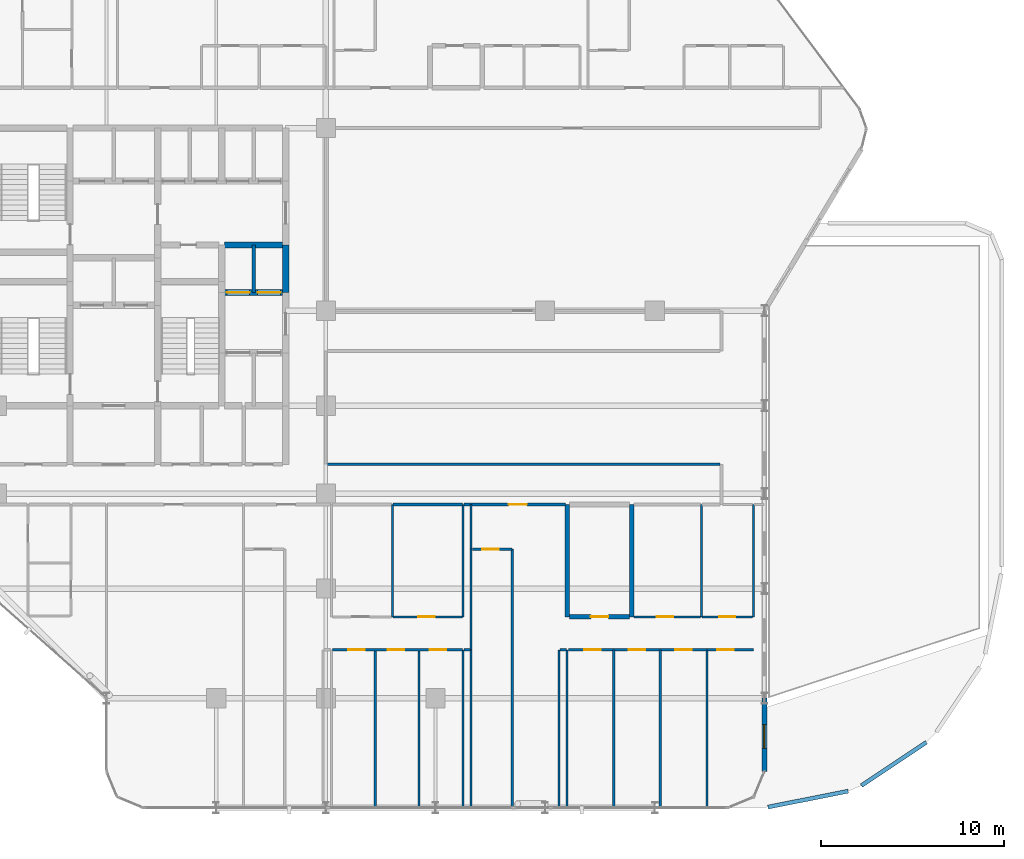
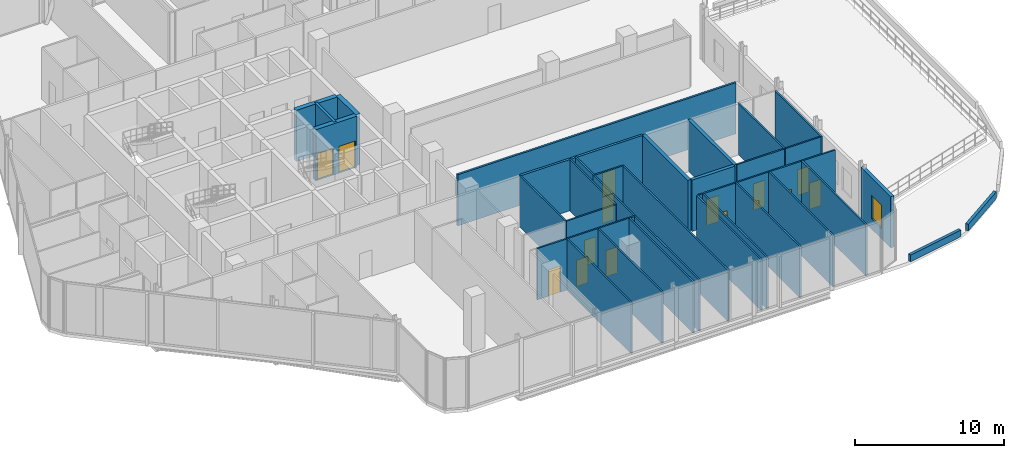
# One storey, part 24 of 30: 37 walls, 15 doors, 1 window, 16 openings.
"""IFC4 building model written with IfcOpenShell, lengths in metres."""

from ifc_helpers import new_model, si_unit, direction, frame, frame_2d, origin, place, context, subcontext, project, spatial, rectangle, extrude, material, layer, layer_set, type_object, element, fill, save


model = new_model("IFC4")

# Units and contexts
model_context = context("Model", 3, precision=1e-05, world=origin(), true_north=direction((0.0, 1.0)))
body_context = subcontext(model_context, "Body", "Model", "MODEL_VIEW")
ifc_project = project(units=[si_unit("LENGTHUNIT", "METRE"), si_unit("AREAUNIT", "SQUARE_METRE"), si_unit("VOLUMEUNIT", "CUBIC_METRE"), si_unit("PLANEANGLEUNIT", "RADIAN"), si_unit("MASSUNIT", "GRAM", prefix="KILO")], contexts=[model_context])

# Site, building, storey
site_placement = place(None, origin())
site = spatial("IfcSite", under=ifc_project, at=site_placement, CompositionType="ELEMENT")
building_placement = place(site_placement, origin())
building = spatial("IfcBuilding", under=site, at=building_placement, Name="Keshet Zoharim Tower", CompositionType="ELEMENT")
storey_placement = place(building_placement, frame((0.0, 0.0, 86.39990234375)))
storey = spatial("IfcBuildingStorey", under=building, at=storey_placement, Name="L20", CompositionType="ELEMENT", Elevation=86.39990234375)

# Walls
ifc_material_1 = material(Name="Gypsum Plasterboard", Category="gypsum")
ifc_layer_1 = layer(ifc_material_1, 0.14990234375)
ifc_layer_set_1 = layer_set([ifc_layer_1], Name="Gypsum Plasterboard")
wall_type_1 = type_object("IfcWallType", Name="WL-CLIN-150", PredefinedType="STANDARD", material=ifc_layer_set_1)
wall_1_placement = place(storey_placement, frame((33.070068359375, 19.5, 0.0), z_axis=(0.0, 0.0, 1.0), x_axis=(1.0, 0.0, 0.0)))
element("IfcWall", 1, at=wall_1_placement, inside=storey, type_object=wall_type_1, Name="L20 Interior Wall 148", PredefinedType="STANDARD", context=body_context, shape_type="SweptSolid", body=[
    extrude(rectangle(XDim=21.510009765625, YDim=0.14990234375, at=frame_2d((10.7548828125, 0.0))), origin(), (0.0, 0.0, 1.0), 4.18505859375),
])
ifc_material_2 = material(Name="Concrete C60/75", Category="concrete")
ifc_layer_2 = layer(ifc_material_2, 0.35009765625)
ifc_layer_set_2 = layer_set([ifc_layer_2], Name="Concrete C60/75")
wall_type_2 = type_object("IfcWallType", Name="WL-CORE-350", PredefinedType="SHEAR", material=ifc_layer_set_2)
wall_2_placement = place(storey_placement, frame((30.800048828125, 28.89990234375, 0.0), z_axis=(0.0, 0.0, 1.0), x_axis=(0.0, 1.0, 0.0)))
element("IfcWall", 2, at=wall_2_placement, inside=storey, type_object=wall_type_2, Name="L20 Core Shear Wall 063", PredefinedType="SHEAR", context=body_context, shape_type="SweptSolid", body=[
    extrude(rectangle(XDim=2.60009765625, YDim=0.35009765625, at=frame_2d((1.300048828125, 0.0))), origin(), (0.0, 0.0, 1.0), 4.18505859375),
])

# Wall, openings, doors
wall_3_placement = place(storey_placement, frame((27.4599609375, 28.89990234375, 0.0), z_axis=(0.0, 0.0, 1.0), x_axis=(1.0, 0.0, 0.0)))
wall_3 = element("IfcWall", 3, at=wall_3_placement, inside=storey, type_object=wall_type_2, Name="L20 Core Shear Wall 169", PredefinedType="SHEAR", context=body_context, shape_type="SweptSolid", body=[
    extrude(rectangle(XDim=3.179931640625, YDim=0.35009765625, at=frame_2d((1.58984375, 0.0))), origin(), (0.0, 0.0, 1.0), 4.18505859375),
])
opening_1_placement = place(wall_3_placement, frame((0.1201171875, 0.0, 0.0)))
opening_1 = element("IfcOpeningElement", 4, at=opening_1_placement, cuts=wall_3, Name="Opening LD-01", PredefinedType="OPENING", context=body_context, shape_type="SweptSolid", body=[
    extrude(rectangle(XDim=1.25, YDim=2.199951171875, at=frame_2d((0.625, 1.10009765625))), frame((0.0, 0.18505859375, 0.0), z_axis=(0.0, -1.0, 0.0), x_axis=(1.0, 0.0, 0.0)), (0.0, 0.0, 1.0), 0.3701171875),
])
opening_2_placement = place(wall_3_placement, frame((1.81005859375, 0.0, 0.0)))
opening_2 = element("IfcOpeningElement", 5, at=opening_2_placement, cuts=wall_3, Name="Opening LD-01", PredefinedType="OPENING", context=body_context, shape_type="SweptSolid", body=[
    extrude(rectangle(XDim=1.25, YDim=2.199951171875, at=frame_2d((0.625, 1.10009765625))), frame((0.0, 0.18505859375, 0.0), z_axis=(0.0, -1.0, 0.0), x_axis=(1.0, 0.0, 0.0)), (0.0, 0.0, 1.0), 0.3701171875),
])
ifc_material_3 = material(Name="Steel S355", Category="steel")
door_type_1 = type_object("IfcDoorType", Name="DR-LD01-125", OperationType="DOUBLE_DOOR_SLIDING", PredefinedType="DOOR", material=ifc_material_3)
door_1_placement = place(opening_1_placement, origin())
door_1 = element("IfcDoor", 6, at=door_1_placement, inside=storey, type_object=door_type_1, Name="L20 Passenger Lift Landing Door LF-05", OperationType="DOUBLE_DOOR_SLIDING", OverallHeight=2.199951171875, OverallWidth=1.25, PredefinedType="DOOR", context=body_context, shape_type="SweptSolid", body=[
    extrude(rectangle(XDim=1.25, YDim=2.199951171875, at=frame_2d((0.625, 1.10009765625))), frame((0.0, 0.02490234375, 0.0), z_axis=(0.0, -1.0, 0.0), x_axis=(1.0, 0.0, 0.0)), (0.0, 0.0, 1.0), 0.050048828125),
])
fill(opening_1, door_1)
door_2_placement = place(opening_2_placement, origin())
door_2 = element("IfcDoor", 7, at=door_2_placement, inside=storey, type_object=door_type_1, Name="L20 Passenger Lift Landing Door LF-06", OperationType="DOUBLE_DOOR_SLIDING", OverallHeight=2.199951171875, OverallWidth=1.25, PredefinedType="DOOR", context=body_context, shape_type="SweptSolid", body=[
    extrude(rectangle(XDim=1.25, YDim=2.199951171875, at=frame_2d((0.625, 1.10009765625))), frame((0.0, 0.02490234375, 0.0), z_axis=(0.0, -1.0, 0.0), x_axis=(1.0, 0.0, 0.0)), (0.0, 0.0, 1.0), 0.050048828125),
])
fill(opening_2, door_2)

# Walls
wall_4_placement = place(storey_placement, frame((27.4599609375, 31.5, 0.0), z_axis=(0.0, 0.0, 1.0), x_axis=(1.0, 0.0, 0.0)))
element("IfcWall", 8, at=wall_4_placement, inside=storey, type_object=wall_type_2, Name="L20 Core Shear Wall 177", PredefinedType="SHEAR", context=body_context, shape_type="SweptSolid", body=[
    extrude(rectangle(XDim=3.179931640625, YDim=0.35009765625, at=frame_2d((1.58984375, 0.0))), origin(), (0.0, 0.0, 1.0), 4.18505859375),
])
ifc_layer_3 = layer(ifc_material_1, 0.179931640625)
ifc_layer_set_3 = layer_set([ifc_layer_3], Name="Gypsum Plasterboard")
wall_type_3 = type_object("IfcWallType", Name="WL-CORR-180", PredefinedType="STANDARD", material=ifc_layer_set_3)
wall_5_placement = place(storey_placement, frame((36.672119140625, 17.300048828125, 0.0), z_axis=(0.0, 0.0, 1.0), x_axis=(1.0, 0.0, 0.0)))
element("IfcWall", 9, at=wall_5_placement, inside=storey, type_object=wall_type_3, Name="L20 Interior Wall 137", PredefinedType="STANDARD", context=body_context, shape_type="SweptSolid", body=[
    extrude(rectangle(XDim=3.802978515625, YDim=0.179931640625, at=frame_2d((1.9013671875, 0.0))), origin(), (0.0, 0.0, 1.0), 4.18505859375),
])

# Wall, opening, door
wall_6_placement = place(storey_placement, frame((40.56494140625, 17.300048828125, 0.0), z_axis=(0.0, 0.0, 1.0), x_axis=(1.0, 0.0, 0.0)))
wall_6 = element("IfcWall", 10, at=wall_6_placement, inside=storey, type_object=wall_type_3, Name="L20 Interior Wall 138", PredefinedType="STANDARD", context=body_context, shape_type="SweptSolid", body=[
    extrude(rectangle(XDim=5.545166015625, YDim=0.179931640625, at=frame_2d((2.7724609375, 0.0))), origin(), (0.0, 0.0, 1.0), 4.18505859375),
])
opening_3_placement = place(wall_6_placement, frame((2.43505859375, 0.0, 0.0)))
opening_3 = element("IfcOpeningElement", 11, at=opening_3_placement, cuts=wall_6, Name="Opening D-F310", PredefinedType="OPENING", context=body_context, shape_type="SweptSolid", body=[
    extrude(rectangle(XDim=1.0, YDim=2.14990234375, at=frame_2d((0.5, 1.074951171875))), frame((0.0, 0.10009765625, 0.0), z_axis=(0.0, -1.0, 0.0), x_axis=(1.0, 0.0, 0.0)), (0.0, 0.0, 1.0), 0.199951171875),
])
ifc_material_4 = material(Name="Hardwood Timber", Category="wood")
door_type_2 = type_object("IfcDoorType", Name="DR-FD30-100", OperationType="NOTDEFINED", PredefinedType="DOOR", material=ifc_material_4)
door_3_placement = place(opening_3_placement, origin())
door_3 = element("IfcDoor", 12, at=door_3_placement, inside=storey, type_object=door_type_2, Name="Apartment 2003 Entrance Door", OperationType="SINGLE_SWING_LEFT", OverallHeight=2.14990234375, OverallWidth=1.0, PredefinedType="DOOR", context=body_context, shape_type="SweptSolid", body=[
    extrude(rectangle(XDim=1.0, YDim=2.14990234375, at=frame_2d((0.5, 1.074951171875))), frame((0.0, 0.02490234375, 0.0), z_axis=(0.0, -1.0, 0.0), x_axis=(1.0, 0.0, 0.0)), (0.0, 0.0, 1.0), 0.050048828125),
])
fill(opening_3, door_3)

# Wall, opening, window
ifc_material_5 = material(Name="Concrete C50/60 precast", Category="concrete")
ifc_layer_4 = layer(ifc_material_5, 0.260009765625)
ifc_layer_set_4 = layer_set([ifc_layer_4], Name="Concrete C50/60 precast")
wall_type_4 = type_object("IfcWallType", Name="WL-EXT-260", PredefinedType="STANDARD", material=ifc_layer_set_4)
wall_7_placement = place(storey_placement, frame((57.0, 6.699951171875, 0.0), z_axis=(0.0, 0.0, 1.0), x_axis=(0.0, -1.0, 0.0)))
wall_7 = element("IfcWall", 13, at=wall_7_placement, inside=storey, type_object=wall_type_4, Name="L20 Exterior Facade Wall 02 Part 2", PredefinedType="STANDARD", context=body_context, shape_type="SweptSolid", body=[
    extrude(rectangle(XDim=4.0, YDim=0.260009765625, at=frame_2d((2.0, 0.0))), origin(), (0.0, 0.0, 1.0), 4.18505859375),
])
opening_4_placement = place(wall_7_placement, frame((1.448974609375, 0.0, 0.85009765625)))
opening_4 = element("IfcOpeningElement", 14, at=opening_4_placement, cuts=wall_7, Name="Opening W-130", PredefinedType="OPENING", context=body_context, shape_type="SweptSolid", body=[
    extrude(rectangle(XDim=1.300048828125, YDim=1.89990234375, at=frame_2d((0.64990234375, 0.949951171875))), frame((0.0, 0.14013671875, 0.0), z_axis=(0.0, -1.0, 0.0), x_axis=(1.0, 0.0, 0.0)), (0.0, 0.0, 1.0), 0.280029296875),
])
ifc_material_6 = material(Name="Insulated Low-E Clear Glass", Category="glass")
window_type = type_object("IfcWindowType", Name="WN-CRN-130", PartitioningType="SINGLE_PANEL", PredefinedType="WINDOW", material=ifc_material_6)
window_placement = place(opening_4_placement, origin())
window = element("IfcWindow", 15, at=window_placement, inside=storey, type_object=window_type, Name="L20 Wind-Corner Window 08", OverallHeight=1.89990234375, OverallWidth=1.300048828125, PartitioningType="SINGLE_PANEL", PredefinedType="WINDOW", context=body_context, shape_type="SweptSolid", body=[
    extrude(rectangle(XDim=1.300048828125, YDim=1.89990234375, at=frame_2d((0.64990234375, 0.949951171875))), frame((0.0, 0.030029296875, 0.0), z_axis=(0.0, -1.0, 0.0), x_axis=(1.0, 0.0, 0.0)), (0.0, 0.0, 1.0), 0.06005859375),
])
fill(opening_4, window)

# Walls
ifc_material_7 = material(Name="Concrete C50/60", Category="concrete")
ifc_layer_5 = layer(ifc_material_7, 0.199951171875)
ifc_layer_set_5 = layer_set([ifc_layer_5], Name="Concrete C50/60")
wall_type_5 = type_object("IfcWallType", Name="WL-FIRE-200", PredefinedType="STANDARD", material=ifc_layer_set_5)
wall_8_placement = place(storey_placement, frame((29.050048828125, 28.89990234375, 0.0), z_axis=(0.0, 0.0, 1.0), x_axis=(0.0, 1.0, 0.0)))
element("IfcWall", 16, at=wall_8_placement, inside=storey, type_object=wall_type_5, Name="L20 Interior Wall 055", PredefinedType="STANDARD", context=body_context, shape_type="SweptSolid", body=[
    extrude(rectangle(XDim=2.60009765625, YDim=0.199951171875, at=frame_2d((1.300048828125, 0.0))), origin(), (0.0, 0.0, 1.0), 4.18505859375),
])
ifc_layer_6 = layer(ifc_material_7, 0.25)
ifc_layer_set_6 = layer_set([ifc_layer_6], Name="Concrete C50/60")
wall_type_6 = type_object("IfcWallType", Name="WL-MAMAD-250", PredefinedType="STANDARD", material=ifc_layer_set_6)
for number, where, z_axis, x_axis, name in (
    (17, (46.199951171875, 11.14990234375, 0.0), (0.0, 0.0, 1.0), (0.0, 1.0, 0.0), "L20 Interior Wall 095"),
    (18, (49.75, 11.14990234375, 0.0), (0.0, 0.0, 1.0), (0.0, 1.0, 0.0), "L20 Interior Wall 103"),
):
    element("IfcWall", number, at=place(storey_placement, frame(where, z_axis=z_axis, x_axis=x_axis)), inside=storey, type_object=wall_type_6, Name=name, PredefinedType="STANDARD", context=body_context, shape_type="SweptSolid", body=[
        extrude(rectangle(XDim=6.150146484375, YDim=0.25, at=frame_2d((3.0751953125, 0.0))), origin(), (0.0, 0.0, 1.0), 4.18505859375),
    ])

# Wall, opening, door
wall_9_placement = place(storey_placement, frame((46.330078125, 11.14990234375, 0.0), z_axis=(0.0, 0.0, 1.0), x_axis=(1.0, 0.0, 0.0)))
wall_9 = element("IfcWall", 19, at=wall_9_placement, inside=storey, type_object=wall_type_6, Name="L20 Interior Wall 123", PredefinedType="STANDARD", context=body_context, shape_type="SweptSolid", body=[
    extrude(rectangle(XDim=3.298828125, YDim=0.25, at=frame_2d((1.6494140625, 0.0))), origin(), (0.0, 0.0, 1.0), 4.18505859375),
])
opening_5_placement = place(wall_9_placement, frame((1.175048828125, 0.0, 0.0)))
opening_5 = element("IfcOpeningElement", 20, at=opening_5_placement, cuts=wall_9, Name="Opening D-F695", PredefinedType="OPENING", context=body_context, shape_type="SweptSolid", body=[
    extrude(rectangle(XDim=0.949951171875, YDim=2.14990234375, at=frame_2d((0.47509765625, 1.074951171875))), frame((0.0, 0.135009765625, 0.0), z_axis=(0.0, -1.0, 0.0), x_axis=(1.0, 0.0, 0.0)), (0.0, 0.0, 1.0), 0.27001953125),
])
door_type_3 = type_object("IfcDoorType", Name="DR-FD60-095", OperationType="NOTDEFINED", PredefinedType="DOOR", material=ifc_material_4)
door_4_placement = place(opening_5_placement, origin())
door_4 = element("IfcDoor", 21, at=door_4_placement, inside=storey, type_object=door_type_3, Name="Apartment 2003 Study and Shelter Room Door", OperationType="SINGLE_SWING_LEFT", OverallHeight=2.14990234375, OverallWidth=0.949951171875, PredefinedType="DOOR", context=body_context, shape_type="SweptSolid", body=[
    extrude(rectangle(XDim=0.949951171875, YDim=2.14990234375, at=frame_2d((0.47509765625, 1.074951171875))), frame((0.0, 0.02490234375, 0.0), z_axis=(0.0, -1.0, 0.0), x_axis=(1.0, 0.0, 0.0)), (0.0, 0.0, 1.0), 0.050048828125),
])
fill(opening_5, door_4)

# Walls
ifc_layer_7 = layer(ifc_material_5, 0.219970703125)
ifc_layer_set_7 = layer_set([ifc_layer_7], Name="Concrete C50/60 precast")
wall_type_7 = type_object("IfcWallType", Name="WL-PAR-220", PredefinedType="PARAPET", material=ifc_layer_set_7)
wall_10_placement = place(storey_placement, frame((65.862060546875, 4.287109375, 0.0), z_axis=(0.0, 0.0, 1.0), x_axis=(-0.831461438998, -0.55558246504, 0.0)))
element("IfcWall", 22, at=wall_10_placement, inside=storey, type_object=wall_type_7, Name="L20 Setback Roof Parapet 06", PredefinedType="PARAPET", context=body_context, shape_type="SweptSolid", body=[
    extrude(rectangle(XDim=4.277099609375, YDim=0.219970703125, at=frame_2d((2.138671875, 0.0))), origin(), (0.0, 0.0, 1.0), 0.550048828125),
])
wall_11_placement = place(storey_placement, frame((61.5849609375, 1.612060546875, 0.0), z_axis=(0.0, 0.0, 1.0), x_axis=(-0.980766859102, -0.19518290931, 0.0)))
element("IfcWall", 23, at=wall_11_placement, inside=storey, type_object=wall_type_7, Name="L20 Setback Roof Parapet 07", PredefinedType="PARAPET", context=body_context, shape_type="SweptSolid", body=[
    extrude(rectangle(XDim=4.47802734375, YDim=0.219970703125, at=frame_2d((2.239013671875, 0.0))), origin(), (0.0, 0.0, 1.0), 0.550048828125),
])
ifc_layer_8 = layer(ifc_material_1, 0.1201171875)
ifc_layer_set_8 = layer_set([ifc_layer_8], Name="Gypsum Plasterboard")
wall_type_8 = type_object("IfcWallType", Name="WL-PART-120", PredefinedType="PARTITIONING", material=ifc_layer_set_8)
for number, where, z_axis, x_axis, name in (
    (24, (35.699951171875, 0.7099609375, 0.0), (0.0, 0.0, 1.0), (0.0, 1.0, 0.0), "L20 Interior Wall 076"),
    (25, (38.10009765625, 0.7099609375, 0.0), (0.0, 0.0, 1.0), (0.0, 1.0, 0.0), "L20 Interior Wall 079"),
    (26, (40.5, 0.7099609375, 0.0), (0.0, 0.0, 1.0), (0.0, 1.0, 0.0), "L20 Interior Wall 083"),
    (27, (40.949951171875, 0.7099609375, 0.0), (0.0, 0.0, 1.0), (0.0, 1.0, 0.0), "L20 Interior Wall 085"),
):
    element("IfcWall", number, at=place(storey_placement, frame(where, z_axis=z_axis, x_axis=x_axis)), inside=storey, type_object=wall_type_8, Name=name, PredefinedType="PARTITIONING", context=body_context, shape_type="SweptSolid", body=[
        extrude(rectangle(XDim=8.64013671875, YDim=0.1201171875, at=frame_2d((4.320068359375, 0.0))), origin(), (0.0, 0.0, 1.0), 4.18505859375),
    ])
wall_12_placement = place(storey_placement, frame((40.949951171875, 9.35009765625, 0.0), z_axis=(0.0, 0.0, 1.0), x_axis=(0.0, 1.0, 0.0)))
element("IfcWall", 28, at=wall_12_placement, inside=storey, type_object=wall_type_8, Name="L20 Interior Wall 086", PredefinedType="PARTITIONING", context=body_context, shape_type="SweptSolid", body=[
    extrude(rectangle(XDim=5.5, YDim=0.1201171875, at=frame_2d((2.75, 0.0))), origin(), (0.0, 0.0, 1.0), 4.18505859375),
])
wall_13_placement = place(storey_placement, frame((40.949951171875, 14.85009765625, 0.0), z_axis=(0.0, 0.0, 1.0), x_axis=(0.0, 1.0, 0.0)))
element("IfcWall", 29, at=wall_13_placement, inside=storey, type_object=wall_type_8, Name="L20 Interior Wall 087", PredefinedType="PARTITIONING", context=body_context, shape_type="SweptSolid", body=[
    extrude(rectangle(XDim=2.449951171875, YDim=0.1201171875, at=frame_2d((1.22509765625, 0.0))), origin(), (0.0, 0.0, 1.0), 4.18505859375),
])
wall_14_placement = place(storey_placement, frame((43.199951171875, 0.7099609375, 0.0), z_axis=(0.0, 0.0, 1.0), x_axis=(0.0, 1.0, 0.0)))
element("IfcWall", 30, at=wall_14_placement, inside=storey, type_object=wall_type_8, Name="L20 Interior Wall 090", PredefinedType="PARTITIONING", context=body_context, shape_type="SweptSolid", body=[
    extrude(rectangle(XDim=14.14013671875, YDim=0.1201171875, at=frame_2d((7.070068359375, 0.0))), origin(), (0.0, 0.0, 1.0), 4.18505859375),
])
for number, where, z_axis, x_axis, name in (
    (31, (45.75, 0.7099609375, 0.0), (0.0, 0.0, 1.0), (0.0, 1.0, 0.0), "L20 Interior Wall 093"),
    (32, (46.199951171875, 0.7099609375, 0.0), (0.0, 0.0, 1.0), (0.0, 1.0, 0.0), "L20 Interior Wall 094"),
    (33, (48.75, 0.7099609375, 0.0), (0.0, 0.0, 1.0), (0.0, 1.0, 0.0), "L20 Interior Wall 101"),
    (34, (51.300048828125, 0.7099609375, 0.0), (0.0, 0.0, 1.0), (0.0, 1.0, 0.0), "L20 Interior Wall 104"),
    (35, (53.85009765625, 0.7099609375, 0.0), (0.0, 0.0, 1.0), (0.0, 1.0, 0.0), "L20 Interior Wall 109"),
):
    element("IfcWall", number, at=place(storey_placement, frame(where, z_axis=z_axis, x_axis=x_axis)), inside=storey, type_object=wall_type_8, Name=name, PredefinedType="PARTITIONING", context=body_context, shape_type="SweptSolid", body=[
        extrude(rectangle(XDim=8.64013671875, YDim=0.1201171875, at=frame_2d((4.320068359375, 0.0))), origin(), (0.0, 0.0, 1.0), 4.18505859375),
    ])

# Wall, openings, doors
wall_15_placement = place(storey_placement, frame((33.35498046875, 9.35009765625, 0.0), z_axis=(0.0, 0.0, 1.0), x_axis=(1.0, 0.0, 0.0)))
wall_15 = element("IfcWall", 36, at=wall_15_placement, inside=storey, type_object=wall_type_8, Name="L20 Interior Wall 117", PredefinedType="PARTITIONING", context=body_context, shape_type="SweptSolid", body=[
    extrude(rectangle(XDim=7.1201171875, YDim=0.1201171875, at=frame_2d((3.56005859375, 0.0))), origin(), (0.0, 0.0, 1.0), 4.18505859375),
])
opening_6_placement = place(wall_15_placement, frame((0.882080078125, 0.0, 0.0)))
opening_6 = element("IfcOpeningElement", 37, at=opening_6_placement, cuts=wall_15, Name="Opening D-IN90", PredefinedType="OPENING", context=body_context, shape_type="SweptSolid", body=[
    extrude(rectangle(XDim=0.89990234375, YDim=2.14990234375, at=frame_2d((0.449951171875, 1.074951171875))), frame((0.0, 0.070068359375, 0.0), z_axis=(0.0, -1.0, 0.0), x_axis=(1.0, 0.0, 0.0)), (0.0, 0.0, 1.0), 0.14013671875),
])
opening_7_placement = place(wall_15_placement, frame((3.0380859375, 0.0, 0.0)))
opening_7 = element("IfcOpeningElement", 38, at=opening_7_placement, cuts=wall_15, Name="Opening D-IN90", PredefinedType="OPENING", context=body_context, shape_type="SweptSolid", body=[
    extrude(rectangle(XDim=0.89990234375, YDim=2.14990234375, at=frame_2d((0.449951171875, 1.074951171875))), frame((0.0, 0.070068359375, 0.0), z_axis=(0.0, -1.0, 0.0), x_axis=(1.0, 0.0, 0.0)), (0.0, 0.0, 1.0), 0.14013671875),
])
opening_8_placement = place(wall_15_placement, frame((5.339111328125, 0.0, 0.0)))
opening_8 = element("IfcOpeningElement", 39, at=opening_8_placement, cuts=wall_15, Name="Opening D-IN90", PredefinedType="OPENING", context=body_context, shape_type="SweptSolid", body=[
    extrude(rectangle(XDim=0.89990234375, YDim=2.14990234375, at=frame_2d((0.449951171875, 1.074951171875))), frame((0.0, 0.070068359375, 0.0), z_axis=(0.0, -1.0, 0.0), x_axis=(1.0, 0.0, 0.0)), (0.0, 0.0, 1.0), 0.14013671875),
])
door_type_4 = type_object("IfcDoorType", Name="DR-INT-090", OperationType="NOTDEFINED", PredefinedType="DOOR", material=ifc_material_4)
door_5_placement = place(opening_6_placement, origin())
door_5 = element("IfcDoor", 40, at=door_5_placement, inside=storey, type_object=door_type_4, Name="Apartment 2002 Bedroom 1 Door", OperationType="SINGLE_SWING_RIGHT", OverallHeight=2.14990234375, OverallWidth=0.89990234375, PredefinedType="DOOR", context=body_context, shape_type="SweptSolid", body=[
    extrude(rectangle(XDim=0.89990234375, YDim=2.14990234375, at=frame_2d((0.449951171875, 1.074951171875))), frame((0.0, 0.02490234375, 0.0), z_axis=(0.0, -1.0, 0.0), x_axis=(1.0, 0.0, 0.0)), (0.0, 0.0, 1.0), 0.050048828125),
])
fill(opening_6, door_5)
door_6_placement = place(opening_7_placement, origin())
door_6 = element("IfcDoor", 41, at=door_6_placement, inside=storey, type_object=door_type_4, Name="Apartment 2002 Bedroom 2 Door", OperationType="SINGLE_SWING_LEFT", OverallHeight=2.14990234375, OverallWidth=0.89990234375, PredefinedType="DOOR", context=body_context, shape_type="SweptSolid", body=[
    extrude(rectangle(XDim=0.89990234375, YDim=2.14990234375, at=frame_2d((0.449951171875, 1.074951171875))), frame((0.0, 0.02490234375, 0.0), z_axis=(0.0, -1.0, 0.0), x_axis=(1.0, 0.0, 0.0)), (0.0, 0.0, 1.0), 0.050048828125),
])
fill(opening_7, door_6)
door_7_placement = place(opening_8_placement, origin())
door_7 = element("IfcDoor", 42, at=door_7_placement, inside=storey, type_object=door_type_4, Name="Apartment 2002 Bedroom 3 Door", OperationType="SINGLE_SWING_RIGHT", OverallHeight=2.14990234375, OverallWidth=0.89990234375, PredefinedType="DOOR", context=body_context, shape_type="SweptSolid", body=[
    extrude(rectangle(XDim=0.89990234375, YDim=2.14990234375, at=frame_2d((0.449951171875, 1.074951171875))), frame((0.0, 0.02490234375, 0.0), z_axis=(0.0, -1.0, 0.0), x_axis=(1.0, 0.0, 0.0)), (0.0, 0.0, 1.0), 0.050048828125),
])
fill(opening_8, door_7)

# Walls
for number, where, z_axis, x_axis, name in (
    (43, (40.56494140625, 9.35009765625, 0.0), (0.0, 0.0, 1.0), (1.0, 0.0, 0.0), "L20 Interior Wall 118"),
    (44, (45.81494140625, 9.35009765625, 0.0), (0.0, 0.0, 1.0), (1.0, 0.0, 0.0), "L20 Interior Wall 119"),
):
    element("IfcWall", number, at=place(storey_placement, frame(where, z_axis=z_axis, x_axis=x_axis)), inside=storey, type_object=wall_type_8, Name=name, PredefinedType="PARTITIONING", context=body_context, shape_type="SweptSolid", body=[
        extrude(rectangle(XDim=0.360107421875, YDim=0.1201171875, at=frame_2d((0.18017578125, 0.0))), origin(), (0.0, 0.0, 1.0), 4.18505859375),
    ])

# Wall, openings, doors
wall_16_placement = place(storey_placement, frame((46.264892578125, 9.35009765625, 0.0), z_axis=(0.0, 0.0, 1.0), x_axis=(1.0, 0.0, 0.0)))
wall_16 = element("IfcWall", 45, at=wall_16_placement, inside=storey, type_object=wall_type_8, Name="L20 Interior Wall 120", PredefinedType="PARTITIONING", context=body_context, shape_type="SweptSolid", body=[
    extrude(rectangle(XDim=10.125, YDim=0.1201171875, at=frame_2d((5.0625, 0.0))), origin(), (0.0, 0.0, 1.0), 4.18505859375),
])
opening_9_placement = place(wall_16_placement, frame((0.875, 0.0, 0.0)))
opening_9 = element("IfcOpeningElement", 46, at=opening_9_placement, cuts=wall_16, Name="Opening D-IN90", PredefinedType="OPENING", context=body_context, shape_type="SweptSolid", body=[
    extrude(rectangle(XDim=0.89990234375, YDim=2.14990234375, at=frame_2d((0.449951171875, 1.074951171875))), frame((0.0, 0.070068359375, 0.0), z_axis=(0.0, -1.0, 0.0), x_axis=(1.0, 0.0, 0.0)), (0.0, 0.0, 1.0), 0.14013671875),
])
opening_10_placement = place(wall_16_placement, frame((3.319091796875, 0.0, 0.0)))
opening_10 = element("IfcOpeningElement", 47, at=opening_10_placement, cuts=wall_16, Name="Opening D-IN90", PredefinedType="OPENING", context=body_context, shape_type="SweptSolid", body=[
    extrude(rectangle(XDim=0.89990234375, YDim=2.14990234375, at=frame_2d((0.449951171875, 1.074951171875))), frame((0.0, 0.070068359375, 0.0), z_axis=(0.0, -1.0, 0.0), x_axis=(1.0, 0.0, 0.0)), (0.0, 0.0, 1.0), 0.14013671875),
])
opening_11_placement = place(wall_16_placement, frame((5.861083984375, 0.0, 0.0)))
opening_11 = element("IfcOpeningElement", 48, at=opening_11_placement, cuts=wall_16, Name="Opening D-IN90", PredefinedType="OPENING", context=body_context, shape_type="SweptSolid", body=[
    extrude(rectangle(XDim=0.89990234375, YDim=2.14990234375, at=frame_2d((0.449951171875, 1.074951171875))), frame((0.0, 0.070068359375, 0.0), z_axis=(0.0, -1.0, 0.0), x_axis=(1.0, 0.0, 0.0)), (0.0, 0.0, 1.0), 0.14013671875),
])
opening_12_placement = place(wall_16_placement, frame((8.152099609375, 0.0, 0.0)))
opening_12 = element("IfcOpeningElement", 49, at=opening_12_placement, cuts=wall_16, Name="Opening D-IN90", PredefinedType="OPENING", context=body_context, shape_type="SweptSolid", body=[
    extrude(rectangle(XDim=0.89990234375, YDim=2.14990234375, at=frame_2d((0.449951171875, 1.074951171875))), frame((0.0, 0.070068359375, 0.0), z_axis=(0.0, -1.0, 0.0), x_axis=(1.0, 0.0, 0.0)), (0.0, 0.0, 1.0), 0.14013671875),
])
door_8_placement = place(opening_9_placement, origin())
door_8 = element("IfcDoor", 50, at=door_8_placement, inside=storey, type_object=door_type_4, Name="Apartment 2003 Bedroom 1 Door", OperationType="SINGLE_SWING_LEFT", OverallHeight=2.14990234375, OverallWidth=0.89990234375, PredefinedType="DOOR", context=body_context, shape_type="SweptSolid", body=[
    extrude(rectangle(XDim=0.89990234375, YDim=2.14990234375, at=frame_2d((0.449951171875, 1.074951171875))), frame((0.0, 0.02490234375, 0.0), z_axis=(0.0, -1.0, 0.0), x_axis=(1.0, 0.0, 0.0)), (0.0, 0.0, 1.0), 0.050048828125),
])
fill(opening_9, door_8)
door_9_placement = place(opening_10_placement, origin())
door_9 = element("IfcDoor", 51, at=door_9_placement, inside=storey, type_object=door_type_4, Name="Apartment 2003 Bedroom 2 Door", OperationType="SINGLE_SWING_RIGHT", OverallHeight=2.14990234375, OverallWidth=0.89990234375, PredefinedType="DOOR", context=body_context, shape_type="SweptSolid", body=[
    extrude(rectangle(XDim=0.89990234375, YDim=2.14990234375, at=frame_2d((0.449951171875, 1.074951171875))), frame((0.0, 0.02490234375, 0.0), z_axis=(0.0, -1.0, 0.0), x_axis=(1.0, 0.0, 0.0)), (0.0, 0.0, 1.0), 0.050048828125),
])
fill(opening_10, door_9)
door_10_placement = place(opening_11_placement, origin())
door_10 = element("IfcDoor", 52, at=door_10_placement, inside=storey, type_object=door_type_4, Name="Apartment 2003 Bedroom 3 Door", OperationType="SINGLE_SWING_LEFT", OverallHeight=2.14990234375, OverallWidth=0.89990234375, PredefinedType="DOOR", context=body_context, shape_type="SweptSolid", body=[
    extrude(rectangle(XDim=0.89990234375, YDim=2.14990234375, at=frame_2d((0.449951171875, 1.074951171875))), frame((0.0, 0.02490234375, 0.0), z_axis=(0.0, -1.0, 0.0), x_axis=(1.0, 0.0, 0.0)), (0.0, 0.0, 1.0), 0.050048828125),
])
fill(opening_11, door_10)
door_11_placement = place(opening_12_placement, origin())
door_11 = element("IfcDoor", 53, at=door_11_placement, inside=storey, type_object=door_type_4, Name="Apartment 2003 Bedroom 4 Door", OperationType="SINGLE_SWING_RIGHT", OverallHeight=2.14990234375, OverallWidth=0.89990234375, PredefinedType="DOOR", context=body_context, shape_type="SweptSolid", body=[
    extrude(rectangle(XDim=0.89990234375, YDim=2.14990234375, at=frame_2d((0.449951171875, 1.074951171875))), frame((0.0, 0.02490234375, 0.0), z_axis=(0.0, -1.0, 0.0), x_axis=(1.0, 0.0, 0.0)), (0.0, 0.0, 1.0), 0.050048828125),
])
fill(opening_12, door_11)

# Wall, opening, door
wall_17_placement = place(storey_placement, frame((49.84912109375, 11.14990234375, 0.0), z_axis=(0.0, 0.0, 1.0), x_axis=(1.0, 0.0, 0.0)))
wall_17 = element("IfcWall", 54, at=wall_17_placement, inside=storey, type_object=wall_type_8, Name="L20 Interior Wall 124", PredefinedType="PARTITIONING", context=body_context, shape_type="SweptSolid", body=[
    extrude(rectangle(XDim=3.64794921875, YDim=0.1201171875, at=frame_2d((1.823974609375, 0.0))), origin(), (0.0, 0.0, 1.0), 4.18505859375),
])
opening_13_placement = place(wall_17_placement, frame((1.27099609375, 0.0, 0.0)))
opening_13 = element("IfcOpeningElement", 55, at=opening_13_placement, cuts=wall_17, Name="Opening D-IN90", PredefinedType="OPENING", context=body_context, shape_type="SweptSolid", body=[
    extrude(rectangle(XDim=0.89990234375, YDim=2.14990234375, at=frame_2d((0.449951171875, 1.074951171875))), frame((0.0, 0.070068359375, 0.0), z_axis=(0.0, -1.0, 0.0), x_axis=(1.0, 0.0, 0.0)), (0.0, 0.0, 1.0), 0.14013671875),
])
door_12_placement = place(opening_13_placement, origin())
door_12 = element("IfcDoor", 56, at=door_12_placement, inside=storey, type_object=door_type_4, Name="Apartment 2003 Kitchen Door", OperationType="SINGLE_SWING_RIGHT", OverallHeight=2.14990234375, OverallWidth=0.89990234375, PredefinedType="DOOR", context=body_context, shape_type="SweptSolid", body=[
    extrude(rectangle(XDim=0.89990234375, YDim=2.14990234375, at=frame_2d((0.449951171875, 1.074951171875))), frame((0.0, 0.02490234375, 0.0), z_axis=(0.0, -1.0, 0.0), x_axis=(1.0, 0.0, 0.0)), (0.0, 0.0, 1.0), 0.050048828125),
])
fill(opening_13, door_12)

wall_18_placement = place(storey_placement, frame((41.014892578125, 14.85009765625, 0.0), z_axis=(0.0, 0.0, 1.0), x_axis=(1.0, 0.0, 0.0)))
wall_18 = element("IfcWall", 57, at=wall_18_placement, inside=storey, type_object=wall_type_8, Name="L20 Interior Wall 129", PredefinedType="PARTITIONING", context=body_context, shape_type="SweptSolid", body=[
    extrude(rectangle(XDim=2.16015625, YDim=0.1201171875, at=frame_2d((1.080078125, 0.0))), origin(), (0.0, 0.0, 1.0), 4.18505859375),
])
opening_14_placement = place(wall_18_placement, frame((0.552978515625, 0.0, 0.0)))
opening_14 = element("IfcOpeningElement", 58, at=opening_14_placement, cuts=wall_18, Name="Opening D-IN90", PredefinedType="OPENING", context=body_context, shape_type="SweptSolid", body=[
    extrude(rectangle(XDim=0.89990234375, YDim=2.14990234375, at=frame_2d((0.449951171875, 1.074951171875))), frame((0.0, 0.070068359375, 0.0), z_axis=(0.0, -1.0, 0.0), x_axis=(1.0, 0.0, 0.0)), (0.0, 0.0, 1.0), 0.14013671875),
])
door_13_placement = place(opening_14_placement, origin())
door_13 = element("IfcDoor", 59, at=door_13_placement, inside=storey, type_object=door_type_4, Name="Apartment 2003 Formal Dining Room Door", OperationType="SINGLE_SWING_LEFT", OverallHeight=2.14990234375, OverallWidth=0.89990234375, PredefinedType="DOOR", context=body_context, shape_type="SweptSolid", body=[
    extrude(rectangle(XDim=0.89990234375, YDim=2.14990234375, at=frame_2d((0.449951171875, 1.074951171875))), frame((0.0, 0.02490234375, 0.0), z_axis=(0.0, -1.0, 0.0), x_axis=(1.0, 0.0, 0.0)), (0.0, 0.0, 1.0), 0.050048828125),
])
fill(opening_14, door_13)

# Walls
ifc_layer_9 = layer(ifc_material_1, 0.1201171875)
ifc_layer_set_9 = layer_set([ifc_layer_9], Name="Gypsum Plasterboard")
wall_type_9 = type_object("IfcWallType", Name="WL-WET-120", PredefinedType="PARTITIONING", material=ifc_layer_set_9)
for number, where, z_axis, x_axis, name in (
    (60, (36.64990234375, 11.14990234375, 0.0), (0.0, 0.0, 1.0), (0.0, 1.0, 0.0), "L20 Interior Wall 078"),
    (61, (40.5, 11.14990234375, 0.0), (0.0, 0.0, 1.0), (0.0, 1.0, 0.0), "L20 Interior Wall 084"),
    (62, (53.550048828125, 11.14990234375, 0.0), (0.0, 0.0, 1.0), (0.0, 1.0, 0.0), "L20 Interior Wall 108"),
    (63, (56.39990234375, 11.14990234375, 0.0), (0.0, 0.0, 1.0), (0.0, 1.0, 0.0), "L20 Interior Wall 113"),
):
    element("IfcWall", number, at=place(storey_placement, frame(where, z_axis=z_axis, x_axis=x_axis)), inside=storey, type_object=wall_type_9, Name=name, PredefinedType="PARTITIONING", context=body_context, shape_type="SweptSolid", body=[
        extrude(rectangle(XDim=6.150146484375, YDim=0.1201171875, at=frame_2d((3.0751953125, 0.0))), origin(), (0.0, 0.0, 1.0), 4.18505859375),
    ])

# Wall, opening, door
wall_19_placement = place(storey_placement, frame((36.672119140625, 11.14990234375, 0.0), z_axis=(0.0, 0.0, 1.0), x_axis=(1.0, 0.0, 0.0)))
wall_19 = element("IfcWall", 64, at=wall_19_placement, inside=storey, type_object=wall_type_9, Name="L20 Interior Wall 122", PredefinedType="PARTITIONING", context=body_context, shape_type="SweptSolid", body=[
    extrude(rectangle(XDim=3.802978515625, YDim=0.1201171875, at=frame_2d((1.9013671875, 0.0))), origin(), (0.0, 0.0, 1.0), 4.18505859375),
])
opening_15_placement = place(wall_19_placement, frame((1.37890625, 0.0, 0.0)))
opening_15 = element("IfcOpeningElement", 65, at=opening_15_placement, cuts=wall_19, Name="Opening D-WT90", PredefinedType="OPENING", context=body_context, shape_type="SweptSolid", body=[
    extrude(rectangle(XDim=0.89990234375, YDim=2.10009765625, at=frame_2d((0.449951171875, 1.050048828125))), frame((0.0, 0.070068359375, 0.0), z_axis=(0.0, -1.0, 0.0), x_axis=(1.0, 0.0, 0.0)), (0.0, 0.0, 1.0), 0.14013671875),
])
door_type_5 = type_object("IfcDoorType", Name="DR-WET-090", OperationType="NOTDEFINED", PredefinedType="DOOR", material=ifc_material_4)
door_14_placement = place(opening_15_placement, origin())
door_14 = element("IfcDoor", 66, at=door_14_placement, inside=storey, type_object=door_type_5, Name="Apartment 2002 Bathroom Door", OperationType="SINGLE_SWING_RIGHT", OverallHeight=2.10009765625, OverallWidth=0.89990234375, PredefinedType="DOOR", context=body_context, shape_type="SweptSolid", body=[
    extrude(rectangle(XDim=0.89990234375, YDim=2.10009765625, at=frame_2d((0.449951171875, 1.050048828125))), frame((0.0, 0.02490234375, 0.0), z_axis=(0.0, -1.0, 0.0), x_axis=(1.0, 0.0, 0.0)), (0.0, 0.0, 1.0), 0.050048828125),
])
fill(opening_15, door_14)

wall_20_placement = place(storey_placement, frame((53.5869140625, 11.14990234375, 0.0), z_axis=(0.0, 0.0, 1.0), x_axis=(1.0, 0.0, 0.0)))
wall_20 = element("IfcWall", 67, at=wall_20_placement, inside=storey, type_object=wall_type_9, Name="L20 Interior Wall 125", PredefinedType="PARTITIONING", context=body_context, shape_type="SweptSolid", body=[
    extrude(rectangle(XDim=2.758056640625, YDim=0.1201171875, at=frame_2d((1.37890625, 0.0))), origin(), (0.0, 0.0, 1.0), 4.18505859375),
])
opening_16_placement = place(wall_20_placement, frame((0.928955078125, 0.0, 0.0)))
opening_16 = element("IfcOpeningElement", 68, at=opening_16_placement, cuts=wall_20, Name="Opening D-WT90", PredefinedType="OPENING", context=body_context, shape_type="SweptSolid", body=[
    extrude(rectangle(XDim=0.89990234375, YDim=2.10009765625, at=frame_2d((0.449951171875, 1.050048828125))), frame((0.0, 0.070068359375, 0.0), z_axis=(0.0, -1.0, 0.0), x_axis=(1.0, 0.0, 0.0)), (0.0, 0.0, 1.0), 0.14013671875),
])
door_15_placement = place(opening_16_placement, origin())
door_15 = element("IfcDoor", 69, at=door_15_placement, inside=storey, type_object=door_type_5, Name="Apartment 2003 Bathroom Door", OperationType="SINGLE_SWING_LEFT", OverallHeight=2.10009765625, OverallWidth=0.89990234375, PredefinedType="DOOR", context=body_context, shape_type="SweptSolid", body=[
    extrude(rectangle(XDim=0.89990234375, YDim=2.10009765625, at=frame_2d((0.449951171875, 1.050048828125))), frame((0.0, 0.02490234375, 0.0), z_axis=(0.0, -1.0, 0.0), x_axis=(1.0, 0.0, 0.0)), (0.0, 0.0, 1.0), 0.050048828125),
])
fill(opening_16, door_15)

save(model, "model.ifc")
